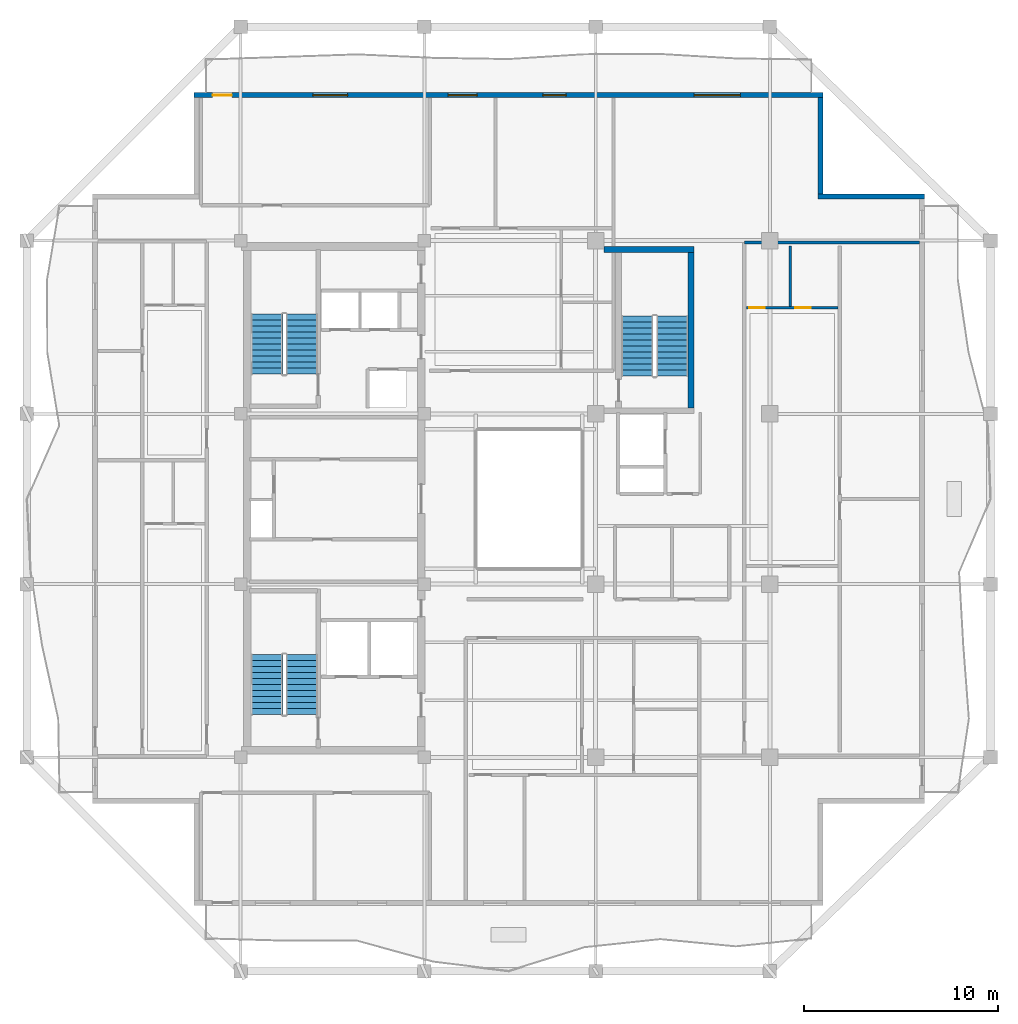
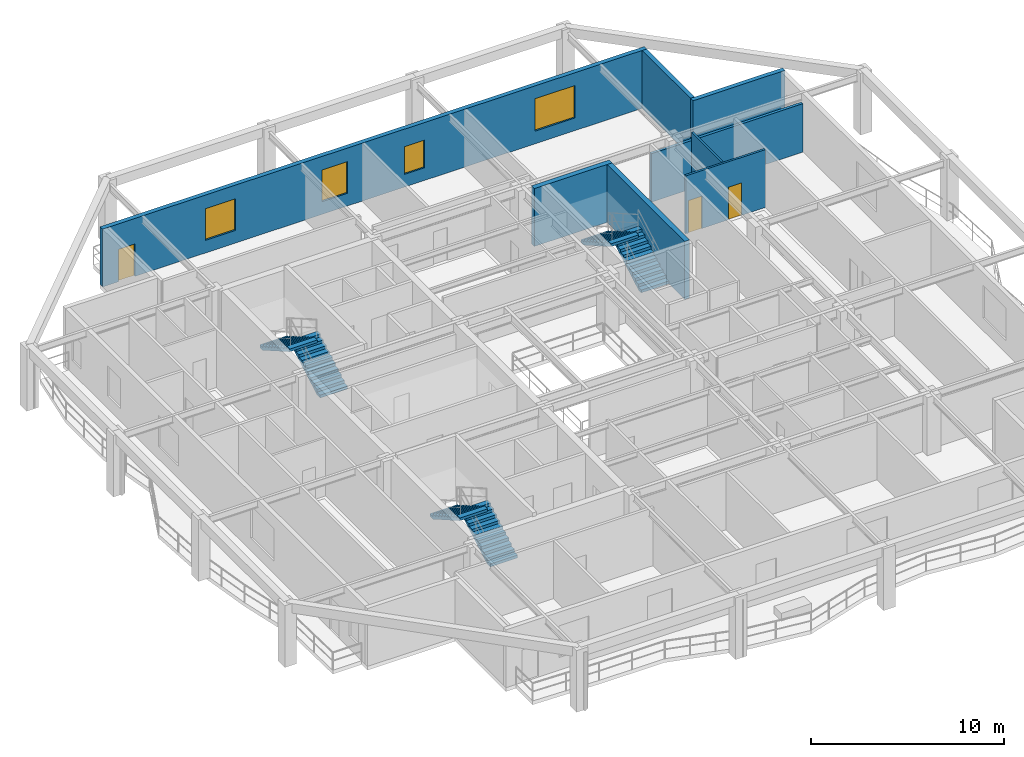
# One storey, part 6 of 11: 8 walls, 6 stair flights, 4 windows, 3 doors, 7 openings, 3 elements without a shape of their own.
"""IFC4 building model written with IfcOpenShell, lengths in metres."""

from ifc_helpers import new_model, si_unit, direction, frame, frame_2d, origin, place, context, subcontext, project, spatial, polyline, rectangle, outline, extrude, material, layer, layer_set, type_object, element, fill, aggregate, save


model = new_model("IFC4")

# Units and contexts
model_context = context("Model", 3, precision=1e-05, world=origin(), true_north=direction((0.0, 1.0)))
body_context = subcontext(model_context, "Body", "Model", "MODEL_VIEW")
ifc_project = project(units=[si_unit("LENGTHUNIT", "METRE"), si_unit("AREAUNIT", "SQUARE_METRE"), si_unit("VOLUMEUNIT", "CUBIC_METRE"), si_unit("PLANEANGLEUNIT", "RADIAN"), si_unit("MASSUNIT", "GRAM", prefix="KILO")], contexts=[model_context])

# Site, building, storey
site_placement = place(None, origin())
site = spatial("IfcSite", under=ifc_project, at=site_placement, CompositionType="ELEMENT")
building_placement = place(site_placement, origin())
building = spatial("IfcBuilding", under=site, at=building_placement, Name="Kundavana Baori Tower", CompositionType="ELEMENT")
storey_placement = place(building_placement, frame((0.0, 0.0, 257.0)))
storey = spatial("IfcBuildingStorey", under=building, at=storey_placement, Name="L63", CompositionType="ELEMENT", Elevation=257.0)

# Walls
ifc_material_1 = material(Name="Kiln-Fired Terracotta Brick-Slip Masonry on Concrete C40/50", Category="masonry")
ifc_layer_1 = layer(ifc_material_1, 0.260009765625, Name="WL-EXT-BRK-260")
ifc_layer_set_1 = layer_set([ifc_layer_1], Name="Kiln-Fired Terracotta Brick-Slip Masonry on Concrete C40/50")
wall_type_1 = type_object("IfcWallType", Name="WL-EXT-BRK-260", PredefinedType="SOLIDWALL", material=ifc_layer_set_1)
wall_1_placement = place(storey_placement, frame((50.800048828125, 44.219970703125, 0.0), z_axis=(0.0, 0.0, 1.0), x_axis=(-1.0, 0.0, 0.0)))
element("IfcWall", 1, at=wall_1_placement, inside=storey, type_object=wall_type_1, Name="L63 Exterior Insulated Facade Wall 05", PredefinedType="SOLIDWALL", context=body_context, shape_type="SweptSolid", body=[
    extrude(rectangle(XDim=5.510009765625, YDim=0.260009765625, at=frame_2d((2.7548828125, 0.0))), origin(), (0.0, 0.0, 1.0), 3.659912109375),
])
wall_2_placement = place(storey_placement, frame((45.419921875, 44.35009765625, 0.0), z_axis=(0.0, 0.0, 1.0), x_axis=(0.0, 1.0, 0.0)))
element("IfcWall", 2, at=wall_2_placement, inside=storey, type_object=wall_type_1, Name="L63 Exterior Insulated Facade Wall 06", PredefinedType="SOLIDWALL", context=body_context, shape_type="SweptSolid", body=[
    extrude(rectangle(XDim=4.989990234375, YDim=0.260009765625, at=frame_2d((2.4951171875, 0.0))), origin(), (0.0, 0.0, 1.0), 3.659912109375),
])

# Wall, openings, door, windows
wall_3_placement = place(storey_placement, frame((45.550048828125, 49.469970703125, 0.0), z_axis=(0.0, 0.0, 1.0), x_axis=(-1.0, 0.0, 0.0)))
wall_3 = element("IfcWall", 3, at=wall_3_placement, inside=storey, type_object=wall_type_1, Name="L63 Exterior Insulated Facade Wall 07", PredefinedType="SOLIDWALL", context=body_context, shape_type="SweptSolid", body=[
    extrude(rectangle(XDim=32.5, YDim=0.260009765625, at=frame_2d((16.25, 0.0))), origin(), (0.0, 0.0, 1.0), 3.659912109375),
])
opening_1_placement = place(wall_3_placement, frame((30.550048828125, 0.0, 0.0)))
opening_1 = element("IfcOpeningElement", 4, at=opening_1_placement, cuts=wall_3, Name="Opening BD-1", PredefinedType="OPENING", context=body_context, shape_type="SweptSolid", body=[
    extrude(rectangle(XDim=1.0, YDim=2.050048828125, at=frame_2d((0.5, 1.02490234375))), frame((0.0, 0.14013671875, 0.0), z_axis=(0.0, -1.0, 0.0), x_axis=(1.0, 0.0, 0.0)), (0.0, 0.0, 1.0), 0.280029296875),
])
opening_2_placement = place(wall_3_placement, frame((24.56494140625, 0.0, 0.800048828125)))
opening_2 = element("IfcOpeningElement", 5, at=opening_2_placement, cuts=wall_3, Name="Opening W-01", PredefinedType="OPENING", context=body_context, shape_type="SweptSolid", body=[
    extrude(rectangle(XDim=1.800048828125, YDim=2.0, at=frame_2d((0.89990234375, 1.0))), frame((0.0, 0.14013671875, 0.0), z_axis=(0.0, -1.0, 0.0), x_axis=(1.0, 0.0, 0.0)), (0.0, 0.0, 1.0), 0.280029296875),
])
opening_3_placement = place(wall_3_placement, frame((17.8779296875, 0.0, 0.800048828125)))
opening_3 = element("IfcOpeningElement", 6, at=opening_3_placement, cuts=wall_3, Name="Opening W-02", PredefinedType="OPENING", context=body_context, shape_type="SweptSolid", body=[
    extrude(rectangle(XDim=1.5, YDim=2.0, at=frame_2d((0.75, 1.0))), frame((0.0, 0.14013671875, 0.0), z_axis=(0.0, -1.0, 0.0), x_axis=(1.0, 0.0, 0.0)), (0.0, 0.0, 1.0), 0.280029296875),
])
opening_4_placement = place(wall_3_placement, frame((13.278076171875, 0.0, 0.800048828125)))
opening_4 = element("IfcOpeningElement", 7, at=opening_4_placement, cuts=wall_3, Name="Opening W-03", PredefinedType="OPENING", context=body_context, shape_type="SweptSolid", body=[
    extrude(rectangle(XDim=1.199951171875, YDim=1.75, at=frame_2d((0.60009765625, 0.875))), frame((0.0, 0.14013671875, 0.0), z_axis=(0.0, -1.0, 0.0), x_axis=(1.0, 0.0, 0.0)), (0.0, 0.0, 1.0), 0.280029296875),
])
opening_5_placement = place(wall_3_placement, frame((4.27001953125, 0.0, 0.800048828125)))
opening_5 = element("IfcOpeningElement", 8, at=opening_5_placement, cuts=wall_3, Name="Opening W-04", PredefinedType="OPENING", context=body_context, shape_type="SweptSolid", body=[
    extrude(rectangle(XDim=2.39990234375, YDim=2.050048828125, at=frame_2d((1.199951171875, 1.02490234375))), frame((0.0, 0.14013671875, 0.0), z_axis=(0.0, -1.0, 0.0), x_axis=(1.0, 0.0, 0.0)), (0.0, 0.0, 1.0), 0.280029296875),
])
ifc_material_2 = material(Name="Architectural Patinated Bronze Metalwork")
door_type_1 = type_object("IfcDoorType", Name="DR-EXT-LOG-1000", OperationType="NOTDEFINED", PredefinedType="DOOR", material=ifc_material_2)
door_1_placement = place(opening_1_placement, frame((1.0, 0.0, 0.0), z_axis=(0.0, 0.0, 1.0), x_axis=(-1.0, 0.0, 0.0)))
door_1 = element("IfcDoor", 9, at=door_1_placement, inside=storey, type_object=door_type_1, Name="L63 Loggia Balcony Access Door N", OperationType="SINGLE_SWING_LEFT", OverallHeight=2.050048828125, OverallWidth=1.0, PredefinedType="DOOR", context=body_context, shape_type="SweptSolid", body=[
    extrude(rectangle(XDim=1.0, YDim=2.050048828125, at=frame_2d((0.5, 1.02490234375))), frame((0.0, 0.02490234375, 0.0), z_axis=(0.0, -1.0, 0.0), x_axis=(1.0, 0.0, 0.0)), (0.0, 0.0, 1.0), 0.050048828125),
])
fill(opening_1, door_1)
ifc_material_3 = material(Name="Double-Glazed Solar-Control Low-E Insulated Glass", Category="glass")
window_type_1 = type_object("IfcWindowType", Name="WIN-LOG-1200x1750", PartitioningType="SINGLE_PANEL", PredefinedType="WINDOW", material=ifc_material_3)
window_1_placement = place(opening_4_placement, origin())
window_1 = element("IfcWindow", 10, at=window_1_placement, inside=storey, type_object=window_type_1, Name="L63 Recessed Loggia Window N-3", OverallHeight=1.75, OverallWidth=1.199951171875, PartitioningType="SINGLE_PANEL", PredefinedType="WINDOW", context=body_context, shape_type="SweptSolid", body=[
    extrude(rectangle(XDim=1.199951171875, YDim=1.75, at=frame_2d((0.60009765625, 0.875))), frame((0.0, 0.030029296875, 0.0), z_axis=(0.0, -1.0, 0.0), x_axis=(1.0, 0.0, 0.0)), (0.0, 0.0, 1.0), 0.06005859375),
])
fill(opening_4, window_1)
ifc_material_4 = material(Name="Double-Glazed Solar-Control Low-E Insulated Glass", Category="glass")
window_type_2 = type_object("IfcWindowType", Name="WIN-LOG-1500x2000", PartitioningType="SINGLE_PANEL", PredefinedType="WINDOW", material=ifc_material_4)
window_2_placement = place(opening_3_placement, origin())
window_2 = element("IfcWindow", 11, at=window_2_placement, inside=storey, type_object=window_type_2, Name="L63 Recessed Loggia Window N-2", OverallHeight=2.0, OverallWidth=1.5, PartitioningType="SINGLE_PANEL", PredefinedType="WINDOW", context=body_context, shape_type="SweptSolid", body=[
    extrude(rectangle(XDim=1.5, YDim=2.0, at=frame_2d((0.75, 1.0))), frame((0.0, 0.030029296875, 0.0), z_axis=(0.0, -1.0, 0.0), x_axis=(1.0, 0.0, 0.0)), (0.0, 0.0, 1.0), 0.06005859375),
])
fill(opening_3, window_2)
ifc_material_5 = material(Name="Double-Glazed Solar-Control Low-E Insulated Glass", Category="glass")
window_type_3 = type_object("IfcWindowType", Name="WIN-LOG-1800x2000", PartitioningType="SINGLE_PANEL", PredefinedType="WINDOW", material=ifc_material_5)
window_3_placement = place(opening_2_placement, origin())
window_3 = element("IfcWindow", 12, at=window_3_placement, inside=storey, type_object=window_type_3, Name="L63 Recessed Loggia Window N-1", OverallHeight=2.0, OverallWidth=1.800048828125, PartitioningType="SINGLE_PANEL", PredefinedType="WINDOW", context=body_context, shape_type="SweptSolid", body=[
    extrude(rectangle(XDim=1.800048828125, YDim=2.0, at=frame_2d((0.89990234375, 1.0))), frame((0.0, 0.030029296875, 0.0), z_axis=(0.0, -1.0, 0.0), x_axis=(1.0, 0.0, 0.0)), (0.0, 0.0, 1.0), 0.06005859375),
])
fill(opening_2, window_3)
ifc_material_6 = material(Name="Double-Glazed Solar-Control Low-E Insulated Glass", Category="glass")
window_type_4 = type_object("IfcWindowType", Name="WIN-LOG-2400x2050", PartitioningType="SINGLE_PANEL", PredefinedType="WINDOW", material=ifc_material_6)
window_4_placement = place(opening_5_placement, origin())
window_4 = element("IfcWindow", 13, at=window_4_placement, inside=storey, type_object=window_type_4, Name="L63 Recessed Loggia Window N-4", OverallHeight=2.050048828125, OverallWidth=2.39990234375, PartitioningType="SINGLE_PANEL", PredefinedType="WINDOW", context=body_context, shape_type="SweptSolid", body=[
    extrude(rectangle(XDim=2.39990234375, YDim=2.050048828125, at=frame_2d((1.199951171875, 1.02490234375))), frame((0.0, 0.030029296875, 0.0), z_axis=(0.0, -1.0, 0.0), x_axis=(1.0, 0.0, 0.0)), (0.0, 0.0, 1.0), 0.06005859375),
])
fill(opening_5, window_4)

# Walls
ifc_material_7 = material(Name="Fire-Rated Gypsum Drywall on Galvanised Steel Studs", Category="steel")
ifc_layer_2 = layer(ifc_material_7, 0.1650390625, Name="WL-PART-165")
ifc_layer_set_2 = layer_set([ifc_layer_2], Name="Fire-Rated Gypsum Drywall on Galvanised Steel Studs")
wall_type_2 = type_object("IfcWallType", Name="WL-PART-165", PredefinedType="PARTITIONING", material=ifc_layer_set_2)
wall_4_placement = place(storey_placement, frame((41.47998046875, 41.85009765625, 0.0), z_axis=(0.0, 0.0, 1.0), x_axis=(1.0, 0.0, 0.0)))
element("IfcWall", 14, at=wall_4_placement, inside=storey, type_object=wall_type_2, Name="WL-L63-REN", PredefinedType="PARTITIONING", context=body_context, shape_type="SweptSolid", body=[
    extrude(rectangle(XDim=9.0400390625, YDim=0.1650390625, at=frame_2d((4.52001953125, 0.0))), origin(), (0.0, 0.0, 1.0), 3.06005859375),
])
ifc_material_8 = material(Name="Concrete C50/60", Category="concrete")
ifc_layer_3 = layer(ifc_material_8, 0.300048828125, Name="WL-ST3-300")
ifc_layer_set_3 = layer_set([ifc_layer_3], Name="Concrete C50/60")
wall_type_3 = type_object("IfcWallType", Name="WL-ST3-300", PredefinedType="SHEAR", material=ifc_layer_set_3)
wall_5_placement = place(storey_placement, frame((34.22509765625, 41.489990234375, 0.0), z_axis=(0.0, 0.0, 1.0), x_axis=(1.0, 0.0, 0.0)))
element("IfcWall", 15, at=wall_5_placement, inside=storey, type_object=wall_type_3, Name="L63 Stair ST3 North Shear Wall", PredefinedType="SHEAR", context=body_context, shape_type="SweptSolid", body=[
    extrude(rectangle(XDim=4.64501953125, YDim=0.300048828125, at=frame_2d((2.322509765625, 0.0))), origin(), (0.0, 0.0, 1.0), 3.659912109375),
])
wall_6_placement = place(storey_placement, frame((38.719970703125, 33.31005859375, 0.0), z_axis=(0.0, 0.0, 1.0), x_axis=(0.0, 1.0, 0.0)))
element("IfcWall", 16, at=wall_6_placement, inside=storey, type_object=wall_type_3, Name="L63 Stair ST3 East Shear Wall", PredefinedType="SHEAR", context=body_context, shape_type="SweptSolid", body=[
    extrude(rectangle(XDim=8.030029296875, YDim=0.300048828125, at=frame_2d((4.01513671875, 0.0))), origin(), (0.0, 0.0, 1.0), 3.659912109375),
])

# Wall, openings, doors
ifc_material_9 = material(Name="Autoclaved Aerated Concrete Blockwork Masonry", Category="masonry")
ifc_layer_4 = layer(ifc_material_9, 0.125, Name="WL-WET-120")
ifc_layer_set_4 = layer_set([ifc_layer_4], Name="Autoclaved Aerated Concrete Blockwork Masonry")
wall_type_4 = type_object("IfcWallType", Name="WL-WET-120", PredefinedType="PLUMBINGWALL", material=ifc_layer_set_4)
wall_7_placement = place(storey_placement, frame((41.580078125, 38.469970703125, 0.0), z_axis=(0.0, 0.0, 1.0), x_axis=(1.0, 0.0, 0.0)))
wall_7 = element("IfcWall", 17, at=wall_7_placement, inside=storey, type_object=wall_type_4, Name="WL-L63-E1-KH", PredefinedType="PLUMBINGWALL", context=body_context, shape_type="SweptSolid", body=[
    extrude(rectangle(XDim=4.747802734375, YDim=0.125, at=frame_2d((2.3740234375, 0.0))), origin(), (0.0, 0.0, 1.0), 3.659912109375),
])
opening_6_placement = place(wall_7_placement, frame((0.159912109375, 0.0, 0.0)))
opening_6 = element("IfcOpeningElement", 18, at=opening_6_placement, cuts=wall_7, Name="Opening WD-080", PredefinedType="OPENING", context=body_context, shape_type="SweptSolid", body=[
    extrude(rectangle(XDim=0.800048828125, YDim=2.050048828125, at=frame_2d((0.39990234375, 1.02490234375))), frame((0.0, 0.072509765625, 0.0), z_axis=(0.0, -1.0, 0.0), x_axis=(1.0, 0.0, 0.0)), (0.0, 0.0, 1.0), 0.14501953125),
])
opening_7_placement = place(wall_7_placement, frame((2.5390625, 0.0, 0.0)))
opening_7 = element("IfcOpeningElement", 19, at=opening_7_placement, cuts=wall_7, Name="Opening WD-080", PredefinedType="OPENING", context=body_context, shape_type="SweptSolid", body=[
    extrude(rectangle(XDim=0.800048828125, YDim=2.050048828125, at=frame_2d((0.39990234375, 1.02490234375))), frame((0.0, 0.072509765625, 0.0), z_axis=(0.0, -1.0, 0.0), x_axis=(1.0, 0.0, 0.0)), (0.0, 0.0, 1.0), 0.14501953125),
])
ifc_material_10 = material(Name="Engineered Teak Solid-Core Timber Veneer", Category="wood")
door_type_2 = type_object("IfcDoorType", Name="DR-WET-800", OperationType="NOTDEFINED", PredefinedType="DOOR", material=ifc_material_10)
door_2_placement = place(opening_6_placement, origin())
door_2 = element("IfcDoor", 20, at=door_2_placement, inside=storey, type_object=door_type_2, Name="DR-L63-E1-BT", OperationType="SINGLE_SWING_LEFT", OverallHeight=2.050048828125, OverallWidth=0.800048828125, PredefinedType="DOOR", context=body_context, shape_type="SweptSolid", body=[
    extrude(rectangle(XDim=0.800048828125, YDim=2.050048828125, at=frame_2d((0.39990234375, 1.02490234375))), frame((0.0, 0.02490234375, 0.0), z_axis=(0.0, -1.0, 0.0), x_axis=(1.0, 0.0, 0.0)), (0.0, 0.0, 1.0), 0.050048828125),
])
fill(opening_6, door_2)
door_3_placement = place(opening_7_placement, origin())
door_3 = element("IfcDoor", 21, at=door_3_placement, inside=storey, type_object=door_type_2, Name="DR-L63-E1-KT", OperationType="SINGLE_SWING_RIGHT", OverallHeight=2.050048828125, OverallWidth=0.800048828125, PredefinedType="DOOR", context=body_context, shape_type="SweptSolid", body=[
    extrude(rectangle(XDim=0.800048828125, YDim=2.050048828125, at=frame_2d((0.39990234375, 1.02490234375))), frame((0.0, 0.02490234375, 0.0), z_axis=(0.0, -1.0, 0.0), x_axis=(1.0, 0.0, 0.0)), (0.0, 0.0, 1.0), 0.050048828125),
])
fill(opening_7, door_3)

# Wall
wall_8_placement = place(storey_placement, frame((43.85888671875, 38.550048828125, 0.0), z_axis=(0.0, 0.0, 1.0), x_axis=(0.0, 1.0, 0.0)))
element("IfcWall", 22, at=wall_8_placement, inside=storey, type_object=wall_type_4, Name="WL-L63-E1-BV", PredefinedType="PLUMBINGWALL", context=body_context, shape_type="SweptSolid", body=[
    extrude(rectangle(XDim=3.119873046875, YDim=0.125, at=frame_2d((1.56005859375, 0.0))), origin(), (0.0, 0.0, 1.0), 3.659912109375),
])

# Stair, stair flights
ifc_material_11 = material(Name="Concrete C40/50", Category="concrete")
stair_type = type_object("IfcStairType", Name="STR-DOG-1650", PredefinedType="HALF_TURN_STAIR", material=ifc_material_11)
stair_1_placement = place(storey_placement, origin())
stair_1 = element("IfcStair", 23, at=stair_1_placement, inside=storey, type_object=stair_type, Name="L63 Protected Exit Stair ST1", PredefinedType="HALF_TURN_STAIR")
ifc_material_12 = material(Name="Concrete C40/50", Category="concrete")
stair_flight_type = type_object("IfcStairFlightType", Name="SFL-RC-1650", PredefinedType="STRAIGHT", material=ifc_material_12)
stair_flight_1_placement = place(storey_placement, frame((18.614990234375, 17.449951171875, 0.0), z_axis=(0.0, 0.0, 1.0), x_axis=(0.0, 1.0, 0.0)))
stair_flight_1 = element("IfcStairFlight", 24, at=stair_flight_1_placement, type_object=stair_flight_type, Name="ST1 flight 1", NumberOfRisers=11, NumberOfTreads=10, PredefinedType="STRAIGHT", RiserHeight=0.177272727, TreadLength=0.31, context=body_context, shape_type="SweptSolid", body=[
    extrude(outline(polyline([(0.0, 0.0), (0.0, 0.17724609375), (0.31005859375, 0.17724609375), (0.31005859375, 0.3544921875), (0.6201171875, 0.3544921875), (0.6201171875, 0.53173828125), (0.929931640625, 0.53173828125), (0.929931640625, 0.708984375), (1.239990234375, 0.708984375), (1.239990234375, 0.886474609375), (1.550048828125, 0.886474609375), (1.550048828125, 1.063720703125), (1.860107421875, 1.063720703125), (1.860107421875, 1.240966796875), (2.169921875, 1.240966796875), (2.169921875, 1.418212890625), (2.47998046875, 1.418212890625), (2.47998046875, 1.595458984375), (2.7900390625, 1.595458984375), (2.7900390625, 1.772705078125), (3.10009765625, 1.772705078125), (3.10009765625, 1.949951171875), (3.10009765625, 1.60009765625), (0.302001953125, 0.0), (0.0, 0.0)])), frame((0.0, 0.824951171875, 0.0), z_axis=(0.0, -1.0, 0.0), x_axis=(1.0, 0.0, 0.0)), (0.0, 0.0, 1.0), 1.64990234375),
])
stair_flight_2_placement = place(storey_placement, frame((16.804931640625, 20.550048828125, 1.949951171875), z_axis=(0.0, 0.0, 1.0), x_axis=(0.0, -1.0, 0.0)))
stair_flight_2 = element("IfcStairFlight", 25, at=stair_flight_2_placement, type_object=stair_flight_type, Name="ST1 flight 2", NumberOfRisers=11, NumberOfTreads=10, PredefinedType="STRAIGHT", RiserHeight=0.177272727, TreadLength=0.31, context=body_context, shape_type="SweptSolid", body=[
    extrude(outline(polyline([(0.0, 0.0), (0.0, 0.17724609375), (0.31005859375, 0.17724609375), (0.31005859375, 0.3544921875), (0.6201171875, 0.3544921875), (0.6201171875, 0.53173828125), (0.929931640625, 0.53173828125), (0.929931640625, 0.708984375), (1.239990234375, 0.708984375), (1.239990234375, 0.886474609375), (1.550048828125, 0.886474609375), (1.550048828125, 1.063720703125), (1.860107421875, 1.063720703125), (1.860107421875, 1.240966796875), (2.169921875, 1.240966796875), (2.169921875, 1.418212890625), (2.47998046875, 1.418212890625), (2.47998046875, 1.595458984375), (2.7900390625, 1.595458984375), (2.7900390625, 1.772705078125), (3.10009765625, 1.772705078125), (3.10009765625, 1.949951171875), (3.10009765625, 1.60009765625), (0.302001953125, 0.0), (0.0, 0.0)])), frame((0.0, 0.824951171875, 0.0), z_axis=(0.0, -1.0, 0.0), x_axis=(1.0, 0.0, 0.0)), (0.0, 0.0, 1.0), 1.64990234375),
])
aggregate(stair_1, [stair_flight_1, stair_flight_2])

stair_2_placement = place(storey_placement, origin())
stair_2 = element("IfcStair", 26, at=stair_2_placement, inside=storey, type_object=stair_type, Name="L63 Protected Exit Stair ST2", PredefinedType="HALF_TURN_STAIR")
stair_flight_3_placement = place(storey_placement, frame((18.614990234375, 35.050048828125, 0.0), z_axis=(0.0, 0.0, 1.0), x_axis=(0.0, 1.0, 0.0)))
stair_flight_3 = element("IfcStairFlight", 27, at=stair_flight_3_placement, type_object=stair_flight_type, Name="ST2 flight 1", NumberOfRisers=11, NumberOfTreads=10, PredefinedType="STRAIGHT", RiserHeight=0.177272727, TreadLength=0.31, context=body_context, shape_type="SweptSolid", body=[
    extrude(outline(polyline([(0.0, 0.0), (0.0, 0.17724609375), (0.31005859375, 0.17724609375), (0.31005859375, 0.3544921875), (0.6201171875, 0.3544921875), (0.6201171875, 0.53173828125), (0.929931640625, 0.53173828125), (0.929931640625, 0.708984375), (1.239990234375, 0.708984375), (1.239990234375, 0.886474609375), (1.550048828125, 0.886474609375), (1.550048828125, 1.063720703125), (1.860107421875, 1.063720703125), (1.860107421875, 1.240966796875), (2.169921875, 1.240966796875), (2.169921875, 1.418212890625), (2.47998046875, 1.418212890625), (2.47998046875, 1.595458984375), (2.7900390625, 1.595458984375), (2.7900390625, 1.772705078125), (3.10009765625, 1.772705078125), (3.10009765625, 1.949951171875), (3.10009765625, 1.60009765625), (0.302001953125, 0.0), (0.0, 0.0)])), frame((0.0, 0.824951171875, 0.0), z_axis=(0.0, -1.0, 0.0), x_axis=(1.0, 0.0, 0.0)), (0.0, 0.0, 1.0), 1.64990234375),
])
stair_flight_4_placement = place(storey_placement, frame((16.804931640625, 38.14990234375, 1.949951171875), z_axis=(0.0, 0.0, 1.0), x_axis=(0.0, -1.0, 0.0)))
stair_flight_4 = element("IfcStairFlight", 28, at=stair_flight_4_placement, type_object=stair_flight_type, Name="ST2 flight 2", NumberOfRisers=11, NumberOfTreads=10, PredefinedType="STRAIGHT", RiserHeight=0.177272727, TreadLength=0.31, context=body_context, shape_type="SweptSolid", body=[
    extrude(outline(polyline([(0.0, 0.0), (0.0, 0.17724609375), (0.31005859375, 0.17724609375), (0.31005859375, 0.3544921875), (0.6201171875, 0.3544921875), (0.6201171875, 0.53173828125), (0.929931640625, 0.53173828125), (0.929931640625, 0.708984375), (1.239990234375, 0.708984375), (1.239990234375, 0.886474609375), (1.550048828125, 0.886474609375), (1.550048828125, 1.063720703125), (1.860107421875, 1.063720703125), (1.860107421875, 1.240966796875), (2.169921875, 1.240966796875), (2.169921875, 1.418212890625), (2.47998046875, 1.418212890625), (2.47998046875, 1.595458984375), (2.7900390625, 1.595458984375), (2.7900390625, 1.772705078125), (3.10009765625, 1.772705078125), (3.10009765625, 1.949951171875), (3.10009765625, 1.60009765625), (0.302001953125, 0.0), (0.0, 0.0)])), frame((0.0, 0.824951171875, 0.0), z_axis=(0.0, -1.0, 0.0), x_axis=(1.0, 0.0, 0.0)), (0.0, 0.0, 1.0), 1.64990234375),
])
aggregate(stair_2, [stair_flight_3, stair_flight_4])

stair_3_placement = place(storey_placement, origin())
stair_3 = element("IfcStair", 29, at=stair_3_placement, inside=storey, type_object=stair_type, Name="L63 Protected Exit Stair ST3", PredefinedType="HALF_TURN_STAIR")
stair_flight_5_placement = place(storey_placement, frame((37.7548828125, 34.949951171875, 0.0), z_axis=(0.0, 0.0, 1.0), x_axis=(0.0, 1.0, 0.0)))
stair_flight_5 = element("IfcStairFlight", 30, at=stair_flight_5_placement, type_object=stair_flight_type, Name="ST3 flight 1", NumberOfRisers=11, NumberOfTreads=10, PredefinedType="STRAIGHT", RiserHeight=0.177272727, TreadLength=0.31, context=body_context, shape_type="SweptSolid", body=[
    extrude(outline(polyline([(0.0, 0.0), (0.0, 0.17724609375), (0.31005859375, 0.17724609375), (0.31005859375, 0.3544921875), (0.6201171875, 0.3544921875), (0.6201171875, 0.53173828125), (0.929931640625, 0.53173828125), (0.929931640625, 0.708984375), (1.239990234375, 0.708984375), (1.239990234375, 0.886474609375), (1.550048828125, 0.886474609375), (1.550048828125, 1.063720703125), (1.860107421875, 1.063720703125), (1.860107421875, 1.240966796875), (2.169921875, 1.240966796875), (2.169921875, 1.418212890625), (2.47998046875, 1.418212890625), (2.47998046875, 1.595458984375), (2.7900390625, 1.595458984375), (2.7900390625, 1.772705078125), (3.10009765625, 1.772705078125), (3.10009765625, 1.949951171875), (3.10009765625, 1.60009765625), (0.302001953125, 0.0), (0.0, 0.0)])), frame((0.0, 0.824951171875, 0.0), z_axis=(0.0, -1.0, 0.0), x_axis=(1.0, 0.0, 0.0)), (0.0, 0.0, 1.0), 1.64990234375),
])
stair_flight_6_placement = place(storey_placement, frame((35.945068359375, 38.050048828125, 1.949951171875), z_axis=(0.0, 0.0, 1.0), x_axis=(0.0, -1.0, 0.0)))
stair_flight_6 = element("IfcStairFlight", 31, at=stair_flight_6_placement, type_object=stair_flight_type, Name="ST3 flight 2", NumberOfRisers=11, NumberOfTreads=10, PredefinedType="STRAIGHT", RiserHeight=0.177272727, TreadLength=0.31, context=body_context, shape_type="SweptSolid", body=[
    extrude(outline(polyline([(0.0, 0.0), (0.0, 0.17724609375), (0.31005859375, 0.17724609375), (0.31005859375, 0.3544921875), (0.6201171875, 0.3544921875), (0.6201171875, 0.53173828125), (0.929931640625, 0.53173828125), (0.929931640625, 0.708984375), (1.239990234375, 0.708984375), (1.239990234375, 0.886474609375), (1.550048828125, 0.886474609375), (1.550048828125, 1.063720703125), (1.860107421875, 1.063720703125), (1.860107421875, 1.240966796875), (2.169921875, 1.240966796875), (2.169921875, 1.418212890625), (2.47998046875, 1.418212890625), (2.47998046875, 1.595458984375), (2.7900390625, 1.595458984375), (2.7900390625, 1.772705078125), (3.10009765625, 1.772705078125), (3.10009765625, 1.949951171875), (3.10009765625, 1.60009765625), (0.302001953125, 0.0), (0.0, 0.0)])), frame((0.0, 0.824951171875, 0.0), z_axis=(0.0, -1.0, 0.0), x_axis=(1.0, 0.0, 0.0)), (0.0, 0.0, 1.0), 1.64990234375),
])
aggregate(stair_3, [stair_flight_5, stair_flight_6])

save(model, "model.ifc")
